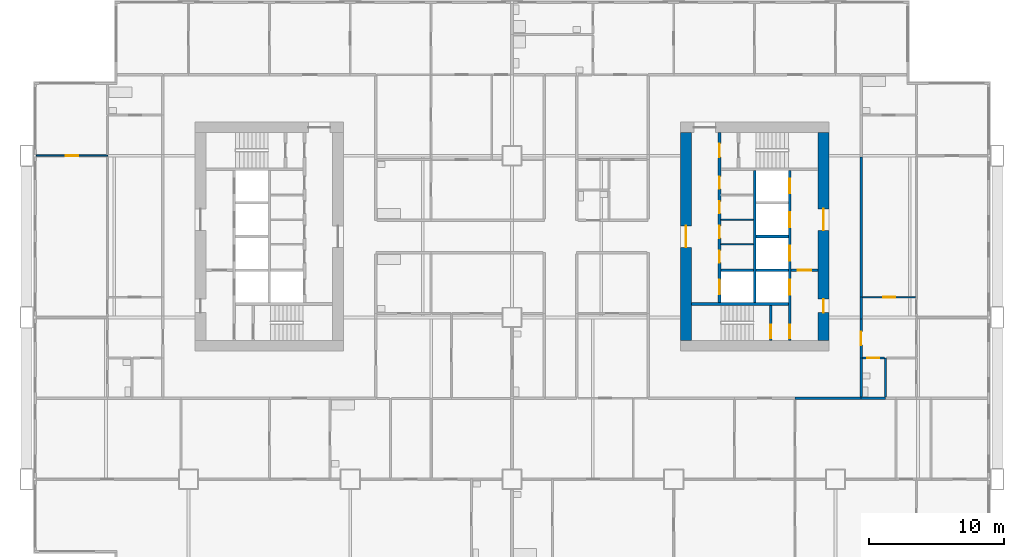
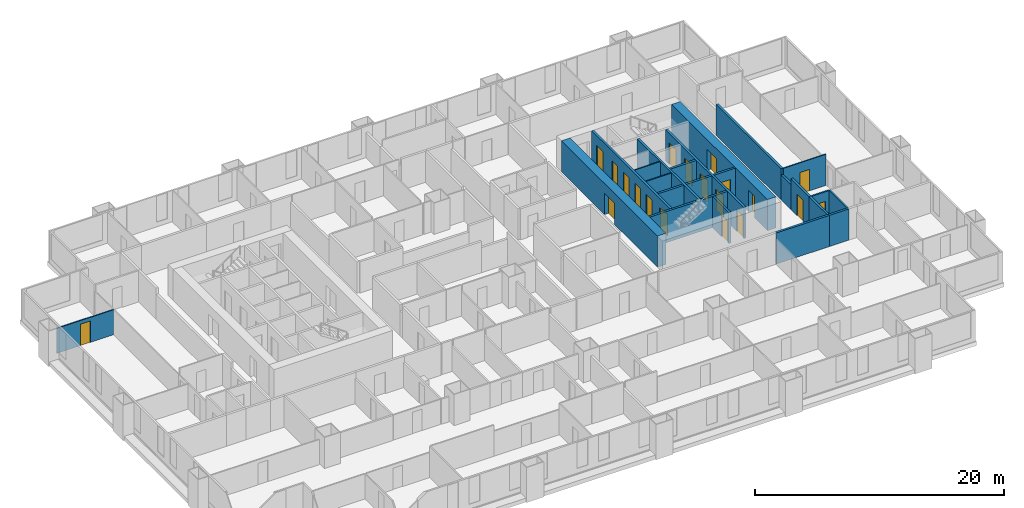
# One storey, part 7 of 14: 23 walls, 20 doors, 20 openings.
"""IFC4 building model written with IfcOpenShell, lengths in metres."""

from ifc_helpers import new_model, si_unit, direction, frame, frame_2d, origin, place, context, subcontext, project, spatial, rectangle, extrude, material, layer, layer_set, type_object, element, fill, save


model = new_model("IFC4")

# Units and contexts
model_context = context("Model", 3, precision=1e-05, world=origin(), true_north=direction((0.0, 1.0)))
body_context = subcontext(model_context, "Body", "Model", "MODEL_VIEW")
ifc_project = project(units=[si_unit("LENGTHUNIT", "METRE"), si_unit("AREAUNIT", "SQUARE_METRE"), si_unit("VOLUMEUNIT", "CUBIC_METRE"), si_unit("PLANEANGLEUNIT", "RADIAN"), si_unit("MASSUNIT", "GRAM", prefix="KILO")], contexts=[model_context])

# Site, building, storey
site_placement = place(None, origin())
site = spatial("IfcSite", under=ifc_project, at=site_placement, CompositionType="ELEMENT")
building_placement = place(site_placement, origin())
building = spatial("IfcBuilding", under=site, at=building_placement, Name="Kitamizu Gate Tower and Museum", CompositionType="ELEMENT")
storey_placement = place(building_placement, frame((0.0, 0.0, 74.85009765625)))
storey = spatial("IfcBuildingStorey", under=building, at=storey_placement, Name="L18", CompositionType="ELEMENT", Elevation=74.85009765625)

# Wall, openings, doors
ifc_material_1 = material(Name="Concrete Fc60", Category="concrete")
ifc_layer_1 = layer(ifc_material_1, 0.800048828125)
ifc_layer_set_1 = layer_set([ifc_layer_1], Name="Concrete Fc60")
wall_type_1 = type_object("IfcWallType", Name="Core wall 800", PredefinedType="SHEAR", material=ifc_layer_set_1)
wall_1_placement = place(storey_placement, frame((59.10009765625, 22.300048828125, 0.0), z_axis=(0.0, 0.0, 1.0), x_axis=(0.0, 1.0, 0.0)))
wall_1 = element("IfcWall", 1, at=wall_1_placement, inside=storey, type_object=wall_type_1, Name="Core wall EOUT", PredefinedType="SHEAR", context=body_context, shape_type="SweptSolid", body=[
    extrude(rectangle(XDim=15.39990234375, YDim=0.800048828125, at=frame_2d((7.699951171875, 0.0))), origin(), (0.0, 0.0, 1.0), 3.0498046875),
])
opening_1_placement = place(wall_1_placement, frame((8.14990234375, 0.0, 0.0)))
opening_1 = element("IfcOpeningElement", 2, at=opening_1_placement, cuts=wall_1, Name="Opening L18-089", PredefinedType="OPENING", context=body_context, shape_type="SweptSolid", body=[
    extrude(rectangle(XDim=1.60009765625, YDim=2.10009765625, at=frame_2d((0.800048828125, 1.050048828125))), frame((0.0, 0.41015625, 0.0), z_axis=(0.0, -1.0, 0.0), x_axis=(1.0, 0.0, 0.0)), (0.0, 0.0, 1.0), 0.820068359375),
])
opening_2_placement = place(wall_1_placement, frame((2.050048828125, 0.0, 0.0)))
opening_2 = element("IfcOpeningElement", 3, at=opening_2_placement, cuts=wall_1, Name="Opening L18-090", PredefinedType="OPENING", context=body_context, shape_type="SweptSolid", body=[
    extrude(rectangle(XDim=1.0, YDim=2.10009765625, at=frame_2d((0.5, 1.050048828125))), frame((0.0, 0.41015625, 0.0), z_axis=(0.0, -1.0, 0.0), x_axis=(1.0, 0.0, 0.0)), (0.0, 0.0, 1.0), 0.820068359375),
])
ifc_material_2 = material(Name="Timber door set", Category="wood")
door_type_1 = type_object("IfcDoorType", Name="Entrance door 1600", OperationType="DOUBLE_DOOR_SINGLE_SWING", PredefinedType="DOOR", material=ifc_material_2)
door_1_placement = place(opening_1_placement, origin())
door_1 = element("IfcDoor", 4, at=door_1_placement, inside=storey, type_object=door_type_1, Name="Lobby door L18-089", OperationType="DOUBLE_DOOR_SINGLE_SWING", OverallHeight=2.10009765625, OverallWidth=1.60009765625, PredefinedType="DOOR", context=body_context, shape_type="SweptSolid", body=[
    extrude(rectangle(XDim=1.60009765625, YDim=2.10009765625, at=frame_2d((0.800048828125, 1.050048828125))), frame((0.0, 0.02490234375, 0.0), z_axis=(0.0, -1.0, 0.0), x_axis=(1.0, 0.0, 0.0)), (0.0, 0.0, 1.0), 0.050048828125),
])
fill(opening_1, door_1)
ifc_material_3 = material(Name="Hollow metal door set")
door_type_2 = type_object("IfcDoorType", Name="Fire door 1000", OperationType="NOTDEFINED", PredefinedType="DOOR", material=ifc_material_3)
door_2_placement = place(opening_2_placement, origin())
door_2 = element("IfcDoor", 5, at=door_2_placement, inside=storey, type_object=door_type_2, Name="Fire-fighting lobby door L18-090", OperationType="SINGLE_SWING_LEFT", OverallHeight=2.10009765625, OverallWidth=1.0, PredefinedType="DOOR", context=body_context, shape_type="SweptSolid", body=[
    extrude(rectangle(XDim=1.0, YDim=2.10009765625, at=frame_2d((0.5, 1.050048828125))), frame((0.0, 0.02490234375, 0.0), z_axis=(0.0, -1.0, 0.0), x_axis=(1.0, 0.0, 0.0)), (0.0, 0.0, 1.0), 0.050048828125),
])
fill(opening_2, door_2)

# Wall, opening, door
wall_2_placement = place(storey_placement, frame((48.89990234375, 22.300048828125, 0.0), z_axis=(0.0, 0.0, 1.0), x_axis=(0.0, 1.0, 0.0)))
wall_2 = element("IfcWall", 6, at=wall_2_placement, inside=storey, type_object=wall_type_1, Name="Core wall EARC", PredefinedType="SHEAR", context=body_context, shape_type="SweptSolid", body=[
    extrude(rectangle(XDim=15.39990234375, YDim=0.800048828125, at=frame_2d((7.699951171875, 0.0))), origin(), (0.0, 0.0, 1.0), 3.0498046875),
])
opening_3_placement = place(wall_2_placement, frame((6.89990234375, 0.0, 0.0)))
opening_3 = element("IfcOpeningElement", 7, at=opening_3_placement, cuts=wall_2, Name="Opening L18-092", PredefinedType="OPENING", context=body_context, shape_type="SweptSolid", body=[
    extrude(rectangle(XDim=1.60009765625, YDim=2.10009765625, at=frame_2d((0.800048828125, 1.050048828125))), frame((0.0, 0.41015625, 0.0), z_axis=(0.0, -1.0, 0.0), x_axis=(1.0, 0.0, 0.0)), (0.0, 0.0, 1.0), 0.820068359375),
])
door_3_placement = place(opening_3_placement, origin())
door_3 = element("IfcDoor", 8, at=door_3_placement, inside=storey, type_object=door_type_1, Name="Lobby door L18-092", OperationType="DOUBLE_DOOR_SINGLE_SWING", OverallHeight=2.10009765625, OverallWidth=1.60009765625, PredefinedType="DOOR", context=body_context, shape_type="SweptSolid", body=[
    extrude(rectangle(XDim=1.60009765625, YDim=2.10009765625, at=frame_2d((0.800048828125, 1.050048828125))), frame((0.0, 0.02490234375, 0.0), z_axis=(0.0, -1.0, 0.0), x_axis=(1.0, 0.0, 0.0)), (0.0, 0.0, 1.0), 0.050048828125),
])
fill(opening_3, door_3)

# Walls
ifc_material_4 = material(Name="Gypsum board on galvanised stud")
ifc_layer_2 = layer(ifc_material_4, 0.10009765625)
ifc_layer_set_2 = layer_set([ifc_layer_2], Name="Gypsum board on galvanised stud")
wall_type_2 = type_object("IfcWallType", Name="Partition 100", PredefinedType="PARTITIONING", material=ifc_layer_set_2)
for number, where, z_axis, x_axis, name in (
    (9, (53.89990234375, 29.425048828125, 0.0), (0.0, 0.0, 1.0), (-1.0, 0.0, 0.0), "Partition EPF1"),
    (10, (53.89990234375, 31.25, 0.0), (0.0, 0.0, 1.0), (-1.0, 0.0, 0.0), "Partition EPF2"),
):
    element("IfcWall", number, at=place(storey_placement, frame(where, z_axis=z_axis, x_axis=x_axis)), inside=storey, type_object=wall_type_2, Name=name, PredefinedType="PARTITIONING", context=body_context, shape_type="SweptSolid", body=[
        extrude(rectangle(XDim=2.39990234375, YDim=0.10009765625, at=frame_2d((1.199951171875, 0.0))), origin(), (0.0, 0.0, 1.0), 3.0498046875),
    ])

# Wall, opening, door
ifc_material_5 = material(Name="Gypsum board on galvanised stud")
ifc_layer_3 = layer(ifc_material_5, 0.10009765625)
ifc_layer_set_3 = layer_set([ifc_layer_3], Name="Gypsum board on galvanised stud")
wall_type_3 = type_object("IfcWallType", Name="Partition 100 NOT RATED", PredefinedType="PARTITIONING", material=ifc_layer_set_3)
wall_3_placement = place(storey_placement, frame((6.0, 36.0, 0.0), z_axis=(0.0, 0.0, 1.0), x_axis=(-1.0, 0.0, 0.0)))
wall_3 = element("IfcWall", 11, at=wall_3_placement, inside=storey, type_object=wall_type_3, Name="Partition L18-057", PredefinedType="PARTITIONING", context=body_context, shape_type="SweptSolid", body=[
    extrude(rectangle(XDim=5.280029296875, YDim=0.10009765625, at=frame_2d((2.64013671875, 0.0))), origin(), (0.0, 0.0, 1.0), 2.449951171875),
])
opening_4_placement = place(wall_3_placement, frame((2.18994140625, 0.0, 0.0)))
opening_4 = element("IfcOpeningElement", 12, at=opening_4_placement, cuts=wall_3, Name="Opening L18-022", PredefinedType="OPENING", context=body_context, shape_type="SweptSolid", body=[
    extrude(rectangle(XDim=0.89990234375, YDim=2.10009765625, at=frame_2d((0.449951171875, 1.050048828125))), frame((0.0, 0.06005859375, 0.0), z_axis=(0.0, -1.0, 0.0), x_axis=(1.0, 0.0, 0.0)), (0.0, 0.0, 1.0), 0.1201171875),
])
ifc_material_6 = material(Name="Timber door set", Category="wood")
door_type_3 = type_object("IfcDoorType", Name="Room door 900", OperationType="NOTDEFINED", PredefinedType="DOOR", material=ifc_material_6)
door_4_placement = place(opening_4_placement, frame((0.89990234375, 0.0, 0.0), x_axis=(-1.0, 0.0, 0.0)))
door_4 = element("IfcDoor", 13, at=door_4_placement, inside=storey, type_object=door_type_3, Name="Door L18-022", OperationType="SINGLE_SWING_RIGHT", OverallHeight=2.10009765625, OverallWidth=0.89990234375, PredefinedType="DOOR", context=body_context, shape_type="SweptSolid", body=[
    extrude(rectangle(XDim=0.89990234375, YDim=2.10009765625, at=frame_2d((0.449951171875, 1.050048828125))), frame((0.0, 0.02490234375, 0.0), z_axis=(0.0, -1.0, 0.0), x_axis=(1.0, 0.0, 0.0)), (0.0, 0.0, 1.0), 0.050048828125),
])
fill(opening_4, door_4)

wall_4_placement = place(storey_placement, frame((65.949951171875, 25.5, 0.0), z_axis=(0.0, 0.0, 1.0), x_axis=(-1.0, 0.0, 0.0)))
wall_4 = element("IfcWall", 14, at=wall_4_placement, inside=storey, type_object=wall_type_3, Name="Partition L18-132", PredefinedType="PARTITIONING", context=body_context, shape_type="SweptSolid", body=[
    extrude(rectangle(XDim=3.949951171875, YDim=0.10009765625, at=frame_2d((1.97509765625, 0.0))), origin(), (0.0, 0.0, 1.0), 3.0498046875),
])
opening_5_placement = place(wall_4_placement, frame((1.52490234375, 0.0, 0.0)))
opening_5 = element("IfcOpeningElement", 15, at=opening_5_placement, cuts=wall_4, Name="Opening L18-046", PredefinedType="OPENING", context=body_context, shape_type="SweptSolid", body=[
    extrude(rectangle(XDim=0.89990234375, YDim=2.10009765625, at=frame_2d((0.449951171875, 1.050048828125))), frame((0.0, 0.06005859375, 0.0), z_axis=(0.0, -1.0, 0.0), x_axis=(1.0, 0.0, 0.0)), (0.0, 0.0, 1.0), 0.1201171875),
])
door_5_placement = place(opening_5_placement, origin())
door_5 = element("IfcDoor", 16, at=door_5_placement, inside=storey, type_object=door_type_3, Name="Door L18-046", OperationType="SINGLE_SWING_RIGHT", OverallHeight=2.10009765625, OverallWidth=0.89990234375, PredefinedType="DOOR", context=body_context, shape_type="SweptSolid", body=[
    extrude(rectangle(XDim=0.89990234375, YDim=2.10009765625, at=frame_2d((0.449951171875, 1.050048828125))), frame((0.0, 0.02490234375, 0.0), z_axis=(0.0, -1.0, 0.0), x_axis=(1.0, 0.0, 0.0)), (0.0, 0.0, 1.0), 0.050048828125),
])
fill(opening_5, door_5)

# Wall
ifc_material_7 = material(Name="Gypsum board on galvanised stud")
ifc_layer_4 = layer(ifc_material_7, 0.14990234375)
ifc_layer_set_4 = layer_set([ifc_layer_4], Name="Gypsum board on galvanised stud")
wall_type_4 = type_object("IfcWallType", Name="Partition 150", PredefinedType="PARTITIONING", material=ifc_layer_set_4)
wall_5_placement = place(storey_placement, frame((63.699951171875, 18.10009765625, 0.0), z_axis=(0.0, 0.0, 1.0), x_axis=(0.0, 1.0, 0.0)))
element("IfcWall", 17, at=wall_5_placement, inside=storey, type_object=wall_type_4, Name="Partition L18-128", PredefinedType="PARTITIONING", context=body_context, shape_type="SweptSolid", body=[
    extrude(rectangle(XDim=2.89990234375, YDim=0.14990234375, at=frame_2d((1.449951171875, 0.0))), origin(), (0.0, 0.0, 1.0), 3.0498046875),
])

# Wall, opening, door
wall_6_placement = place(storey_placement, frame((63.625, 21.0, 0.0), z_axis=(0.0, 0.0, 1.0), x_axis=(-1.0, 0.0, 0.0)))
wall_6 = element("IfcWall", 18, at=wall_6_placement, inside=storey, type_object=wall_type_4, Name="Partition L18-129", PredefinedType="PARTITIONING", context=body_context, shape_type="SweptSolid", body=[
    extrude(rectangle(XDim=1.625, YDim=0.14990234375, at=frame_2d((0.8125, 0.0))), origin(), (0.0, 0.0, 1.0), 3.0498046875),
])
opening_6_placement = place(wall_6_placement, frame((0.362548828125, 0.0, 0.0)))
opening_6 = element("IfcOpeningElement", 19, at=opening_6_placement, cuts=wall_6, Name="Opening L18-048", PredefinedType="OPENING", context=body_context, shape_type="SweptSolid", body=[
    extrude(rectangle(XDim=0.89990234375, YDim=2.10009765625, at=frame_2d((0.449951171875, 1.050048828125))), frame((0.0, 0.0849609375, 0.0), z_axis=(0.0, -1.0, 0.0), x_axis=(1.0, 0.0, 0.0)), (0.0, 0.0, 1.0), 0.169921875),
])
ifc_material_8 = material(Name="Timber door set", Category="wood")
door_type_4 = type_object("IfcDoorType", Name="Bathroom door 900", OperationType="NOTDEFINED", PredefinedType="DOOR", material=ifc_material_8)
door_6_placement = place(opening_6_placement, origin())
door_6 = element("IfcDoor", 20, at=door_6_placement, inside=storey, type_object=door_type_4, Name="Bathroom door L18-048", OperationType="SINGLE_SWING_RIGHT", OverallHeight=2.10009765625, OverallWidth=0.89990234375, PredefinedType="DOOR", context=body_context, shape_type="SweptSolid", body=[
    extrude(rectangle(XDim=0.89990234375, YDim=2.10009765625, at=frame_2d((0.449951171875, 1.050048828125))), frame((0.0, 0.02490234375, 0.0), z_axis=(0.0, -1.0, 0.0), x_axis=(1.0, 0.0, 0.0)), (0.0, 0.0, 1.0), 0.050048828125),
])
fill(opening_6, door_6)

# Walls
ifc_material_9 = material(Name="Gypsum board on galvanised stud")
ifc_layer_5 = layer(ifc_material_9, 0.199951171875)
ifc_layer_set_5 = layer_set([ifc_layer_5], Name="Gypsum board on galvanised stud")
wall_type_5 = type_object("IfcWallType", Name="Partition 200", PredefinedType="PARTITIONING", material=ifc_layer_set_5)
wall_7_placement = place(storey_placement, frame((63.699951171875, 18.0, 0.0), z_axis=(0.0, 0.0, 1.0), x_axis=(-1.0, 0.0, 0.0)))
element("IfcWall", 21, at=wall_7_placement, inside=storey, type_object=wall_type_5, Name="Partition L18-106", PredefinedType="PARTITIONING", context=body_context, shape_type="SweptSolid", body=[
    extrude(rectangle(XDim=1.800048828125, YDim=0.199951171875, at=frame_2d((0.89990234375, 0.0))), origin(), (0.0, 0.0, 1.0), 3.0498046875),
])
wall_8_placement = place(storey_placement, frame((61.89990234375, 18.0, 0.0), z_axis=(0.0, 0.0, 1.0), x_axis=(-1.0, 0.0, 0.0)))
element("IfcWall", 22, at=wall_8_placement, inside=storey, type_object=wall_type_5, Name="Partition L18-108", PredefinedType="PARTITIONING", context=body_context, shape_type="SweptSolid", body=[
    extrude(rectangle(XDim=4.89990234375, YDim=0.199951171875, at=frame_2d((2.449951171875, 0.0))), origin(), (0.0, 0.0, 1.0), 3.0498046875),
])
wall_9_placement = place(storey_placement, frame((61.89990234375, 21.0, 0.0), z_axis=(0.0, 0.0, 1.0), x_axis=(0.0, -1.0, 0.0)))
element("IfcWall", 23, at=wall_9_placement, inside=storey, type_object=wall_type_5, Name="Partition L18-130", PredefinedType="PARTITIONING", context=body_context, shape_type="SweptSolid", body=[
    extrude(rectangle(XDim=2.89990234375, YDim=0.199951171875, at=frame_2d((1.449951171875, 0.0))), origin(), (0.0, 0.0, 1.0), 3.0498046875),
])
wall_10_placement = place(storey_placement, frame((61.89990234375, 25.5, 0.0), z_axis=(0.0, 0.0, 1.0), x_axis=(0.0, -1.0, 0.0)))
element("IfcWall", 24, at=wall_10_placement, inside=storey, type_object=wall_type_5, Name="Partition L18-133", PredefinedType="PARTITIONING", context=body_context, shape_type="SweptSolid", body=[
    extrude(rectangle(XDim=1.60009765625, YDim=0.199951171875, at=frame_2d((0.800048828125, 0.0))), origin(), (0.0, 0.0, 1.0), 2.449951171875),
])

# Wall, opening, door
wall_11_placement = place(storey_placement, frame((61.89990234375, 23.89990234375, 0.0), z_axis=(0.0, 0.0, 1.0), x_axis=(0.0, -1.0, 0.0)))
wall_11 = element("IfcWall", 25, at=wall_11_placement, inside=storey, type_object=wall_type_5, Name="Partition L18-134", PredefinedType="PARTITIONING", context=body_context, shape_type="SweptSolid", body=[
    extrude(rectangle(XDim=2.89990234375, YDim=0.199951171875, at=frame_2d((1.449951171875, 0.0))), origin(), (0.0, 0.0, 1.0), 3.0498046875),
])
opening_7_placement = place(wall_11_placement, frame((0.949951171875, 0.0, 0.0)))
opening_7 = element("IfcOpeningElement", 26, at=opening_7_placement, cuts=wall_11, Name="Opening L18-043", PredefinedType="OPENING", context=body_context, shape_type="SweptSolid", body=[
    extrude(rectangle(XDim=1.0, YDim=2.10009765625, at=frame_2d((0.5, 1.050048828125))), frame((0.0, 0.10986328125, 0.0), z_axis=(0.0, -1.0, 0.0), x_axis=(1.0, 0.0, 0.0)), (0.0, 0.0, 1.0), 0.219970703125),
])
ifc_material_10 = material(Name="Timber door set", Category="wood")
door_type_5 = type_object("IfcDoorType", Name="Flat entrance door 1000", OperationType="NOTDEFINED", PredefinedType="DOOR", material=ifc_material_10)
door_7_placement = place(opening_7_placement, origin())
door_7 = element("IfcDoor", 27, at=door_7_placement, inside=storey, type_object=door_type_5, Name="Flat entrance door L18-043", OperationType="SINGLE_SWING_LEFT", OverallHeight=2.10009765625, OverallWidth=1.0, PredefinedType="DOOR", context=body_context, shape_type="SweptSolid", body=[
    extrude(rectangle(XDim=1.0, YDim=2.10009765625, at=frame_2d((0.5, 1.050048828125))), frame((0.0, 0.02490234375, 0.0), z_axis=(0.0, -1.0, 0.0), x_axis=(1.0, 0.0, 0.0)), (0.0, 0.0, 1.0), 0.050048828125),
])
fill(opening_7, door_7)

# Wall
wall_12_placement = place(storey_placement, frame((61.89990234375, 35.89990234375, 0.0), z_axis=(0.0, 0.0, 1.0), x_axis=(0.0, -1.0, 0.0)))
element("IfcWall", 28, at=wall_12_placement, inside=storey, type_object=wall_type_5, Name="Partition L18-137", PredefinedType="PARTITIONING", context=body_context, shape_type="SweptSolid", body=[
    extrude(rectangle(XDim=10.39990234375, YDim=0.199951171875, at=frame_2d((5.199951171875, 0.0))), origin(), (0.0, 0.0, 1.0), 3.0498046875),
])

# Wall, openings, doors
ifc_material_11 = material(Name="Concrete Fc42", Category="concrete")
ifc_layer_6 = layer(ifc_material_11, 0.199951171875)
ifc_layer_set_6 = layer_set([ifc_layer_6], Name="Concrete Fc42")
wall_type_6 = type_object("IfcWallType", Name="Shaft wall 200", PredefinedType="SOLIDWALL", material=ifc_layer_set_6)
wall_13_placement = place(storey_placement, frame((56.60009765625, 22.300048828125, 0.0), z_axis=(0.0, 0.0, 1.0), x_axis=(0.0, 1.0, 0.0)))
wall_13 = element("IfcWall", 29, at=wall_13_placement, inside=storey, type_object=wall_type_6, Name="Shaft wall EWEST", PredefinedType="SOLIDWALL", context=body_context, shape_type="SweptSolid", body=[
    extrude(rectangle(XDim=12.599853515625, YDim=0.199951171875, at=frame_2d((6.2998046875, 0.0))), origin(), (0.0, 0.0, 1.0), 3.0498046875),
])
opening_8_placement = place(wall_13_placement, frame((3.39990234375, 0.0, 0.0)))
opening_8 = element("IfcOpeningElement", 30, at=opening_8_placement, cuts=wall_13, Name="Opening LD", PredefinedType="OPENING", context=body_context, shape_type="SweptSolid", body=[
    extrude(rectangle(XDim=1.10009765625, YDim=2.10009765625, at=frame_2d((0.550048828125, 1.050048828125))), frame((0.0, 0.10986328125, 0.0), z_axis=(0.0, -1.0, 0.0), x_axis=(1.0, 0.0, 0.0)), (0.0, 0.0, 1.0), 0.219970703125),
])
opening_9_placement = place(wall_13_placement, frame((5.89990234375, 0.0, 0.0)))
opening_9 = element("IfcOpeningElement", 31, at=opening_9_placement, cuts=wall_13, Name="Opening LD", PredefinedType="OPENING", context=body_context, shape_type="SweptSolid", body=[
    extrude(rectangle(XDim=1.10009765625, YDim=2.10009765625, at=frame_2d((0.550048828125, 1.050048828125))), frame((0.0, 0.10986328125, 0.0), z_axis=(0.0, -1.0, 0.0), x_axis=(1.0, 0.0, 0.0)), (0.0, 0.0, 1.0), 0.219970703125),
])
opening_10_placement = place(wall_13_placement, frame((8.39990234375, 0.0, 0.0)))
opening_10 = element("IfcOpeningElement", 32, at=opening_10_placement, cuts=wall_13, Name="Opening LD", PredefinedType="OPENING", context=body_context, shape_type="SweptSolid", body=[
    extrude(rectangle(XDim=1.10009765625, YDim=2.10009765625, at=frame_2d((0.550048828125, 1.050048828125))), frame((0.0, 0.10986328125, 0.0), z_axis=(0.0, -1.0, 0.0), x_axis=(1.0, 0.0, 0.0)), (0.0, 0.0, 1.0), 0.219970703125),
])
opening_11_placement = place(wall_13_placement, frame((10.89990234375, 0.0, 0.0)))
opening_11 = element("IfcOpeningElement", 33, at=opening_11_placement, cuts=wall_13, Name="Opening LD", PredefinedType="OPENING", context=body_context, shape_type="SweptSolid", body=[
    extrude(rectangle(XDim=1.10009765625, YDim=2.10009765625, at=frame_2d((0.550048828125, 1.050048828125))), frame((0.0, 0.10986328125, 0.0), z_axis=(0.0, -1.0, 0.0), x_axis=(1.0, 0.0, 0.0)), (0.0, 0.0, 1.0), 0.219970703125),
])
opening_12_placement = place(wall_13_placement, frame((0.14990234375, 0.0, 0.0)))
opening_12 = element("IfcOpeningElement", 34, at=opening_12_placement, cuts=wall_13, Name="Opening L18-085", PredefinedType="OPENING", context=body_context, shape_type="SweptSolid", body=[
    extrude(rectangle(XDim=1.0, YDim=2.10009765625, at=frame_2d((0.5, 1.050048828125))), frame((0.0, 0.10986328125, 0.0), z_axis=(0.0, -1.0, 0.0), x_axis=(1.0, 0.0, 0.0)), (0.0, 0.0, 1.0), 0.219970703125),
])
door_8_placement = place(opening_12_placement, origin())
door_8 = element("IfcDoor", 35, at=door_8_placement, inside=storey, type_object=door_type_2, Name="Stair lobby door L18-085", OperationType="SINGLE_SWING_RIGHT", OverallHeight=2.10009765625, OverallWidth=1.0, PredefinedType="DOOR", context=body_context, shape_type="SweptSolid", body=[
    extrude(rectangle(XDim=1.0, YDim=2.10009765625, at=frame_2d((0.5, 1.050048828125))), frame((0.0, 0.02490234375, 0.0), z_axis=(0.0, -1.0, 0.0), x_axis=(1.0, 0.0, 0.0)), (0.0, 0.0, 1.0), 0.050048828125),
])
fill(opening_12, door_8)
ifc_material_12 = material(Name="Hollow metal door set")
door_type_6 = type_object("IfcDoorType", Name="Landing door 1100", OperationType="SLIDING_TO_LEFT", PredefinedType="DOOR", material=ifc_material_12)
door_9_placement = place(opening_8_placement, origin())
door_9 = element("IfcDoor", 36, at=door_9_placement, inside=storey, type_object=door_type_6, Name="Landing door EFF1", OperationType="SLIDING_TO_LEFT", OverallHeight=2.10009765625, OverallWidth=1.10009765625, PredefinedType="DOOR", context=body_context, shape_type="SweptSolid", body=[
    extrude(rectangle(XDim=1.10009765625, YDim=2.10009765625, at=frame_2d((0.550048828125, 1.050048828125))), frame((0.0, 0.02490234375, 0.0), z_axis=(0.0, -1.0, 0.0), x_axis=(1.0, 0.0, 0.0)), (0.0, 0.0, 1.0), 0.050048828125),
])
fill(opening_8, door_9)
door_10_placement = place(opening_9_placement, origin())
door_10 = element("IfcDoor", 37, at=door_10_placement, inside=storey, type_object=door_type_6, Name="Landing door EL1", OperationType="SLIDING_TO_LEFT", OverallHeight=2.10009765625, OverallWidth=1.10009765625, PredefinedType="DOOR", context=body_context, shape_type="SweptSolid", body=[
    extrude(rectangle(XDim=1.10009765625, YDim=2.10009765625, at=frame_2d((0.550048828125, 1.050048828125))), frame((0.0, 0.02490234375, 0.0), z_axis=(0.0, -1.0, 0.0), x_axis=(1.0, 0.0, 0.0)), (0.0, 0.0, 1.0), 0.050048828125),
])
fill(opening_9, door_10)
door_11_placement = place(opening_10_placement, origin())
door_11 = element("IfcDoor", 38, at=door_11_placement, inside=storey, type_object=door_type_6, Name="Landing door EL2", OperationType="SLIDING_TO_LEFT", OverallHeight=2.10009765625, OverallWidth=1.10009765625, PredefinedType="DOOR", context=body_context, shape_type="SweptSolid", body=[
    extrude(rectangle(XDim=1.10009765625, YDim=2.10009765625, at=frame_2d((0.550048828125, 1.050048828125))), frame((0.0, 0.02490234375, 0.0), z_axis=(0.0, -1.0, 0.0), x_axis=(1.0, 0.0, 0.0)), (0.0, 0.0, 1.0), 0.050048828125),
])
fill(opening_10, door_11)
door_12_placement = place(opening_11_placement, origin())
door_12 = element("IfcDoor", 39, at=door_12_placement, inside=storey, type_object=door_type_6, Name="Landing door EL3", OperationType="SLIDING_TO_LEFT", OverallHeight=2.10009765625, OverallWidth=1.10009765625, PredefinedType="DOOR", context=body_context, shape_type="SweptSolid", body=[
    extrude(rectangle(XDim=1.10009765625, YDim=2.10009765625, at=frame_2d((0.550048828125, 1.050048828125))), frame((0.0, 0.02490234375, 0.0), z_axis=(0.0, -1.0, 0.0), x_axis=(1.0, 0.0, 0.0)), (0.0, 0.0, 1.0), 0.050048828125),
])
fill(opening_11, door_12)

wall_14_placement = place(storey_placement, frame((51.39990234375, 25.10009765625, 0.0), z_axis=(0.0, 0.0, 1.0), x_axis=(0.0, 1.0, 0.0)))
wall_14 = element("IfcWall", 40, at=wall_14_placement, inside=storey, type_object=wall_type_6, Name="Shaft wall EEAST", PredefinedType="SOLIDWALL", context=body_context, shape_type="SweptSolid", body=[
    extrude(rectangle(XDim=12.599853515625, YDim=0.199951171875, at=frame_2d((6.2998046875, 0.0))), origin(), (0.0, 0.0, 1.0), 3.0498046875),
])
opening_13_placement = place(wall_14_placement, frame((0.60009765625, 0.0, 0.0)))
opening_13 = element("IfcOpeningElement", 41, at=opening_13_placement, cuts=wall_14, Name="Opening LD", PredefinedType="OPENING", context=body_context, shape_type="SweptSolid", body=[
    extrude(rectangle(XDim=1.10009765625, YDim=2.10009765625, at=frame_2d((0.550048828125, 1.050048828125))), frame((0.0, 0.10986328125, 0.0), z_axis=(0.0, -1.0, 0.0), x_axis=(1.0, 0.0, 0.0)), (0.0, 0.0, 1.0), 0.219970703125),
])
opening_14_placement = place(wall_14_placement, frame((10.800048828125, 0.0, 0.0)))
opening_14 = element("IfcOpeningElement", 42, at=opening_14_placement, cuts=wall_14, Name="Opening L18-086", PredefinedType="OPENING", context=body_context, shape_type="SweptSolid", body=[
    extrude(rectangle(XDim=1.0, YDim=2.10009765625, at=frame_2d((0.5, 1.050048828125))), frame((0.0, 0.10986328125, 0.0), z_axis=(0.0, -1.0, 0.0), x_axis=(1.0, 0.0, 0.0)), (0.0, 0.0, 1.0), 0.219970703125),
])
opening_15_placement = place(wall_14_placement, frame((2.96240234375, 0.0, 0.0)))
opening_15 = element("IfcOpeningElement", 43, at=opening_15_placement, cuts=wall_14, Name="Opening L18-093", PredefinedType="OPENING", context=body_context, shape_type="SweptSolid", body=[
    extrude(rectangle(XDim=0.89990234375, YDim=2.10009765625, at=frame_2d((0.449951171875, 1.050048828125))), frame((0.0, 0.10986328125, 0.0), z_axis=(0.0, -1.0, 0.0), x_axis=(1.0, 0.0, 0.0)), (0.0, 0.0, 1.0), 0.219970703125),
])
opening_16_placement = place(wall_14_placement, frame((4.78759765625, 0.0, 0.0)))
opening_16 = element("IfcOpeningElement", 44, at=opening_16_placement, cuts=wall_14, Name="Opening L18-094", PredefinedType="OPENING", context=body_context, shape_type="SweptSolid", body=[
    extrude(rectangle(XDim=0.89990234375, YDim=2.10009765625, at=frame_2d((0.449951171875, 1.050048828125))), frame((0.0, 0.10986328125, 0.0), z_axis=(0.0, -1.0, 0.0), x_axis=(1.0, 0.0, 0.0)), (0.0, 0.0, 1.0), 0.219970703125),
])
opening_17_placement = place(wall_14_placement, frame((6.612548828125, 0.0, 0.0)))
opening_17 = element("IfcOpeningElement", 45, at=opening_17_placement, cuts=wall_14, Name="Opening L18-095", PredefinedType="OPENING", context=body_context, shape_type="SweptSolid", body=[
    extrude(rectangle(XDim=0.89990234375, YDim=2.10009765625, at=frame_2d((0.449951171875, 1.050048828125))), frame((0.0, 0.10986328125, 0.0), z_axis=(0.0, -1.0, 0.0), x_axis=(1.0, 0.0, 0.0)), (0.0, 0.0, 1.0), 0.219970703125),
])
opening_18_placement = place(wall_14_placement, frame((8.4375, 0.0, 0.0)))
opening_18 = element("IfcOpeningElement", 46, at=opening_18_placement, cuts=wall_14, Name="Opening L18-096", PredefinedType="OPENING", context=body_context, shape_type="SweptSolid", body=[
    extrude(rectangle(XDim=0.89990234375, YDim=2.10009765625, at=frame_2d((0.449951171875, 1.050048828125))), frame((0.0, 0.10986328125, 0.0), z_axis=(0.0, -1.0, 0.0), x_axis=(1.0, 0.0, 0.0)), (0.0, 0.0, 1.0), 0.219970703125),
])
door_13_placement = place(opening_14_placement, frame((1.0, 0.0, 0.0), x_axis=(-1.0, 0.0, 0.0)))
door_13 = element("IfcDoor", 47, at=door_13_placement, inside=storey, type_object=door_type_2, Name="Stair lobby door L18-086", OperationType="SINGLE_SWING_LEFT", OverallHeight=2.10009765625, OverallWidth=1.0, PredefinedType="DOOR", context=body_context, shape_type="SweptSolid", body=[
    extrude(rectangle(XDim=1.0, YDim=2.10009765625, at=frame_2d((0.5, 1.050048828125))), frame((0.0, 0.02490234375, 0.0), z_axis=(0.0, -1.0, 0.0), x_axis=(1.0, 0.0, 0.0)), (0.0, 0.0, 1.0), 0.050048828125),
])
fill(opening_14, door_13)
door_14_placement = place(opening_13_placement, origin())
door_14 = element("IfcDoor", 48, at=door_14_placement, inside=storey, type_object=door_type_6, Name="Landing door ESV1", OperationType="SLIDING_TO_LEFT", OverallHeight=2.10009765625, OverallWidth=1.10009765625, PredefinedType="DOOR", context=body_context, shape_type="SweptSolid", body=[
    extrude(rectangle(XDim=1.10009765625, YDim=2.10009765625, at=frame_2d((0.550048828125, 1.050048828125))), frame((0.0, 0.02490234375, 0.0), z_axis=(0.0, -1.0, 0.0), x_axis=(1.0, 0.0, 0.0)), (0.0, 0.0, 1.0), 0.050048828125),
])
fill(opening_13, door_14)
ifc_material_13 = material(Name="Timber door set", Category="wood")
door_type_7 = type_object("IfcDoorType", Name="Service door 900", OperationType="NOTDEFINED", PredefinedType="DOOR", material=ifc_material_13)
door_15_placement = place(opening_15_placement, frame((0.89990234375, 0.0, 0.0), x_axis=(-1.0, 0.0, 0.0)))
door_15 = element("IfcDoor", 49, at=door_15_placement, inside=storey, type_object=door_type_7, Name="Service door L18-093", OperationType="SINGLE_SWING_LEFT", OverallHeight=2.10009765625, OverallWidth=0.89990234375, PredefinedType="DOOR", context=body_context, shape_type="SweptSolid", body=[
    extrude(rectangle(XDim=0.89990234375, YDim=2.10009765625, at=frame_2d((0.449951171875, 1.050048828125))), frame((0.0, 0.02490234375, 0.0), z_axis=(0.0, -1.0, 0.0), x_axis=(1.0, 0.0, 0.0)), (0.0, 0.0, 1.0), 0.050048828125),
])
fill(opening_15, door_15)
door_16_placement = place(opening_16_placement, frame((0.89990234375, 0.0, 0.0), x_axis=(-1.0, 0.0, 0.0)))
door_16 = element("IfcDoor", 50, at=door_16_placement, inside=storey, type_object=door_type_7, Name="Service door L18-094", OperationType="SINGLE_SWING_RIGHT", OverallHeight=2.10009765625, OverallWidth=0.89990234375, PredefinedType="DOOR", context=body_context, shape_type="SweptSolid", body=[
    extrude(rectangle(XDim=0.89990234375, YDim=2.10009765625, at=frame_2d((0.449951171875, 1.050048828125))), frame((0.0, 0.02490234375, 0.0), z_axis=(0.0, -1.0, 0.0), x_axis=(1.0, 0.0, 0.0)), (0.0, 0.0, 1.0), 0.050048828125),
])
fill(opening_16, door_16)
door_17_placement = place(opening_17_placement, frame((0.89990234375, 0.0, 0.0), x_axis=(-1.0, 0.0, 0.0)))
door_17 = element("IfcDoor", 51, at=door_17_placement, inside=storey, type_object=door_type_7, Name="Service door L18-095", OperationType="SINGLE_SWING_LEFT", OverallHeight=2.10009765625, OverallWidth=0.89990234375, PredefinedType="DOOR", context=body_context, shape_type="SweptSolid", body=[
    extrude(rectangle(XDim=0.89990234375, YDim=2.10009765625, at=frame_2d((0.449951171875, 1.050048828125))), frame((0.0, 0.02490234375, 0.0), z_axis=(0.0, -1.0, 0.0), x_axis=(1.0, 0.0, 0.0)), (0.0, 0.0, 1.0), 0.050048828125),
])
fill(opening_17, door_17)
door_18_placement = place(opening_18_placement, frame((0.89990234375, 0.0, 0.0), x_axis=(-1.0, 0.0, 0.0)))
door_18 = element("IfcDoor", 52, at=door_18_placement, inside=storey, type_object=door_type_7, Name="Service door L18-096", OperationType="SINGLE_SWING_RIGHT", OverallHeight=2.10009765625, OverallWidth=0.89990234375, PredefinedType="DOOR", context=body_context, shape_type="SweptSolid", body=[
    extrude(rectangle(XDim=0.89990234375, YDim=2.10009765625, at=frame_2d((0.449951171875, 1.050048828125))), frame((0.0, 0.02490234375, 0.0), z_axis=(0.0, -1.0, 0.0), x_axis=(1.0, 0.0, 0.0)), (0.0, 0.0, 1.0), 0.050048828125),
])
fill(opening_18, door_18)

# Walls
wall_15_placement = place(storey_placement, frame((54.0, 25.10009765625, 0.0), z_axis=(0.0, 0.0, 1.0), x_axis=(0.0, 1.0, 0.0)))
element("IfcWall", 53, at=wall_15_placement, inside=storey, type_object=wall_type_6, Name="Shaft wall EMID", PredefinedType="SOLIDWALL", context=body_context, shape_type="SweptSolid", body=[
    extrude(rectangle(XDim=9.7998046875, YDim=0.199951171875, at=frame_2d((4.89990234375, 0.0))), origin(), (0.0, 0.0, 1.0), 3.0498046875),
])
wall_16_placement = place(storey_placement, frame((56.5, 25.0, 0.0), z_axis=(0.0, 0.0, 1.0), x_axis=(-1.0, 0.0, 0.0)))
element("IfcWall", 54, at=wall_16_placement, inside=storey, type_object=wall_type_6, Name="Shaft wall ESB", PredefinedType="SOLIDWALL", context=body_context, shape_type="SweptSolid", body=[
    extrude(rectangle(XDim=7.199951171875, YDim=0.199951171875, at=frame_2d((3.60009765625, 0.0))), origin(), (0.0, 0.0, 1.0), 3.0498046875),
])

# Wall, opening, door
wall_17_placement = place(storey_placement, frame((58.699951171875, 27.5, 0.0), z_axis=(0.0, 0.0, 1.0), x_axis=(-1.0, 0.0, 0.0)))
wall_17 = element("IfcWall", 55, at=wall_17_placement, inside=storey, type_object=wall_type_6, Name="Shaft wall EFFN", PredefinedType="SOLIDWALL", context=body_context, shape_type="SweptSolid", body=[
    extrude(rectangle(XDim=2.0, YDim=0.199951171875, at=frame_2d((1.0, 0.0))), origin(), (0.0, 0.0, 1.0), 3.0498046875),
])
opening_19_placement = place(wall_17_placement, frame((0.5, 0.0, 0.0)))
opening_19 = element("IfcOpeningElement", 56, at=opening_19_placement, cuts=wall_17, Name="Opening L18-088", PredefinedType="OPENING", context=body_context, shape_type="SweptSolid", body=[
    extrude(rectangle(XDim=1.0, YDim=2.10009765625, at=frame_2d((0.5, 1.050048828125))), frame((0.0, 0.10986328125, 0.0), z_axis=(0.0, -1.0, 0.0), x_axis=(1.0, 0.0, 0.0)), (0.0, 0.0, 1.0), 0.219970703125),
])
door_19_placement = place(opening_19_placement, origin())
door_19 = element("IfcDoor", 57, at=door_19_placement, inside=storey, type_object=door_type_2, Name="Fire-fighting lobby door L18-088", OperationType="SINGLE_SWING_RIGHT", OverallHeight=2.10009765625, OverallWidth=1.0, PredefinedType="DOOR", context=body_context, shape_type="SweptSolid", body=[
    extrude(rectangle(XDim=1.0, YDim=2.10009765625, at=frame_2d((0.5, 1.050048828125))), frame((0.0, 0.02490234375, 0.0), z_axis=(0.0, -1.0, 0.0), x_axis=(1.0, 0.0, 0.0)), (0.0, 0.0, 1.0), 0.050048828125),
])
fill(opening_19, door_19)

wall_18_placement = place(storey_placement, frame((55.199951171875, 22.300048828125, 0.0), z_axis=(0.0, 0.0, 1.0), x_axis=(0.0, 1.0, 0.0)))
wall_18 = element("IfcWall", 58, at=wall_18_placement, inside=storey, type_object=wall_type_6, Name="Shaft wall ESZ", PredefinedType="SOLIDWALL", context=body_context, shape_type="SweptSolid", body=[
    extrude(rectangle(XDim=2.599853515625, YDim=0.199951171875, at=frame_2d((1.2998046875, 0.0))), origin(), (0.0, 0.0, 1.0), 3.0498046875),
])
opening_20_placement = place(wall_18_placement, frame((0.14990234375, 0.0, 0.0)))
opening_20 = element("IfcOpeningElement", 59, at=opening_20_placement, cuts=wall_18, Name="Opening L18-084", PredefinedType="OPENING", context=body_context, shape_type="SweptSolid", body=[
    extrude(rectangle(XDim=1.0, YDim=2.10009765625, at=frame_2d((0.5, 1.050048828125))), frame((0.0, 0.10986328125, 0.0), z_axis=(0.0, -1.0, 0.0), x_axis=(1.0, 0.0, 0.0)), (0.0, 0.0, 1.0), 0.219970703125),
])
door_20_placement = place(opening_20_placement, origin())
door_20 = element("IfcDoor", 60, at=door_20_placement, inside=storey, type_object=door_type_2, Name="Stair door L18-084", OperationType="SINGLE_SWING_RIGHT", OverallHeight=2.10009765625, OverallWidth=1.0, PredefinedType="DOOR", context=body_context, shape_type="SweptSolid", body=[
    extrude(rectangle(XDim=1.0, YDim=2.10009765625, at=frame_2d((0.5, 1.050048828125))), frame((0.0, 0.02490234375, 0.0), z_axis=(0.0, -1.0, 0.0), x_axis=(1.0, 0.0, 0.0)), (0.0, 0.0, 1.0), 0.050048828125),
])
fill(opening_20, door_20)

# Walls
for number, where, z_axis, x_axis, name in (
    (61, (56.5, 27.5, 0.0), (0.0, 0.0, 1.0), (-1.0, 0.0, 0.0), "Shaft wall EDVW0"),
    (62, (56.5, 30.0, 0.0), (0.0, 0.0, 1.0), (-1.0, 0.0, 0.0), "Shaft wall EDVW1"),
    (63, (53.89990234375, 27.5, 0.0), (0.0, 0.0, 1.0), (-1.0, 0.0, 0.0), "Shaft wall EDVE0"),
):
    element("IfcWall", number, at=place(storey_placement, frame(where, z_axis=z_axis, x_axis=x_axis)), inside=storey, type_object=wall_type_6, Name=name, PredefinedType="SOLIDWALL", context=body_context, shape_type="SweptSolid", body=[
        extrude(rectangle(XDim=2.39990234375, YDim=0.199951171875, at=frame_2d((1.199951171875, 0.0))), origin(), (0.0, 0.0, 1.0), 3.0498046875),
    ])

save(model, "model.ifc")
